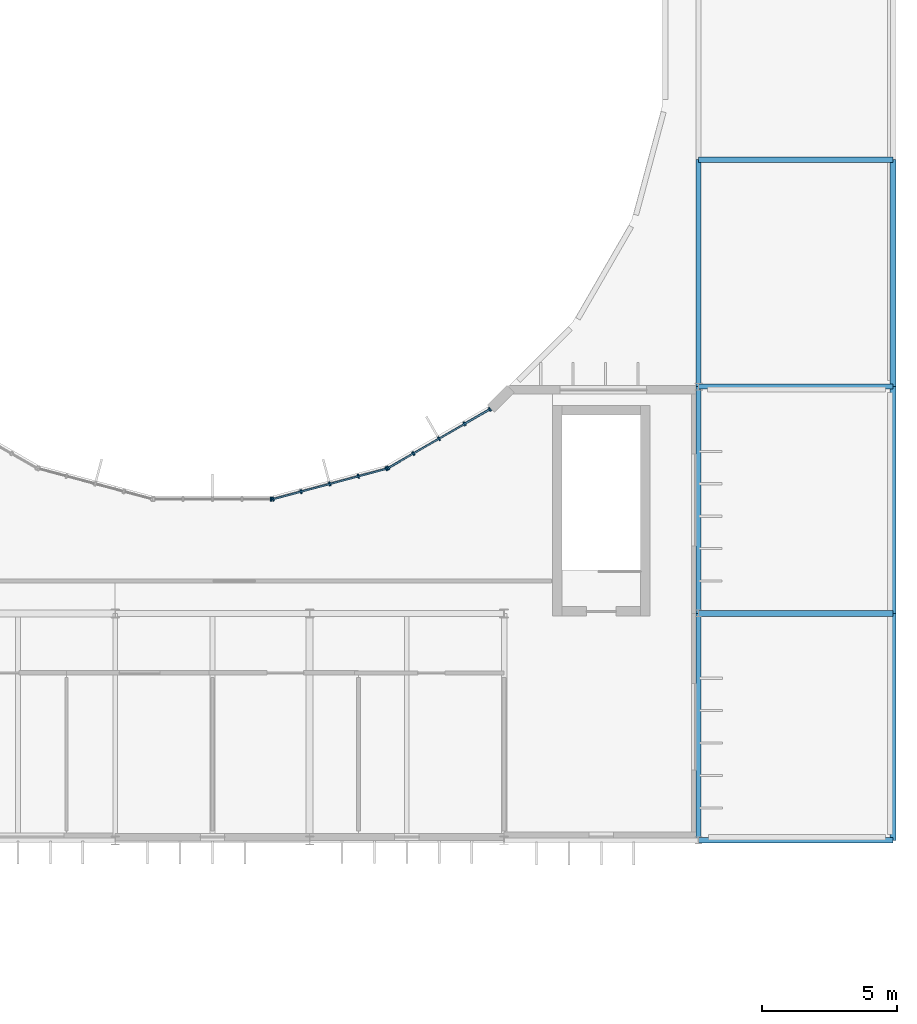
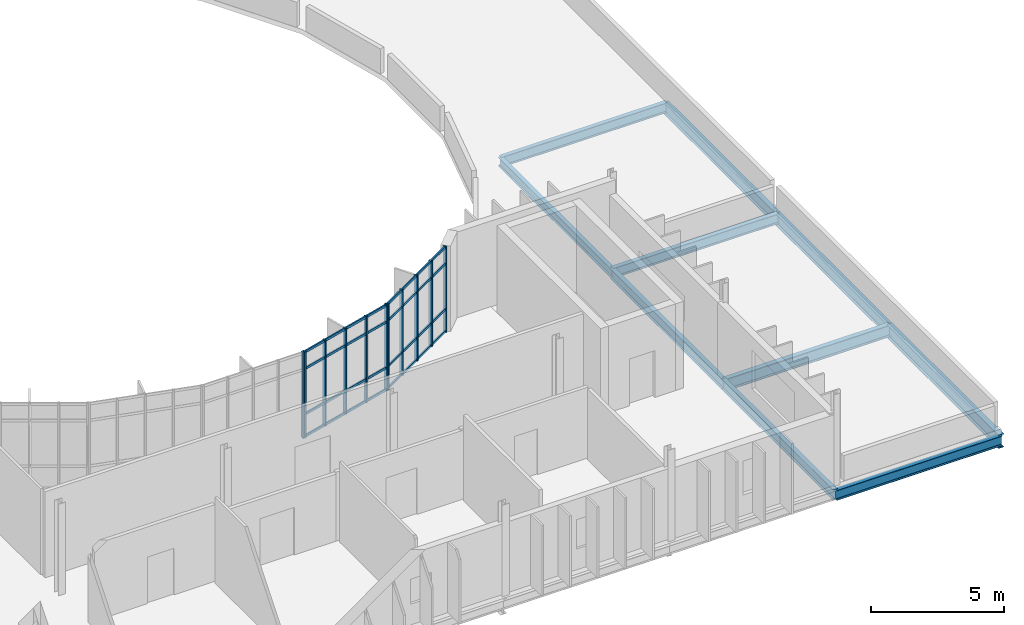
# One storey, part 29 of 61: 19 members, 10 beams, 3 elements without a shape of their own.
"""IFC4 building model written with IfcOpenShell, lengths in metres."""

from ifc_helpers import new_model, si_unit, direction, frame, origin, origin_2d, place, context, subcontext, project, spatial, rectangle, i_section, extrude, material, material_profile, profile_set, type_object, element, aggregate, save


model = new_model("IFC4")

# Units and contexts
model_context = context("Model", 3, precision=1e-05, world=origin(), true_north=direction((0.0, 1.0)))
body_context = subcontext(model_context, "Body", "Model", "MODEL_VIEW")
ifc_project = project(units=[si_unit("LENGTHUNIT", "METRE"), si_unit("AREAUNIT", "SQUARE_METRE"), si_unit("VOLUMEUNIT", "CUBIC_METRE"), si_unit("PLANEANGLEUNIT", "RADIAN"), si_unit("MASSUNIT", "GRAM", prefix="KILO")], contexts=[model_context])

# Site, building, storey
site_placement = place(None, origin())
site = spatial("IfcSite", under=ifc_project, at=site_placement, CompositionType="ELEMENT")
building_placement = place(site_placement, origin())
building = spatial("IfcBuilding", under=site, at=building_placement, Name="Qelthora Terrace Specialist Clinic", CompositionType="ELEMENT")
storey_placement = place(building_placement, frame((0.0, 0.0, 13.199951171875)))
storey = spatial("IfcBuildingStorey", under=building, at=storey_placement, Name="L03", CompositionType="ELEMENT", Elevation=13.199951171875)

# Beams
ifc_material_1 = material(Name="Steel S355", Category="steel")
ifc_material_profile_1 = material_profile(ifc_material_1, i_section(OverallWidth=0.179931640625, OverallDepth=0.4130859375, WebThickness=0.009765625, FlangeThickness=0.01611328125, FilletRadius=0.011962890625, at=origin_2d()), Name="W410X75")
ifc_profile_set_1 = profile_set([ifc_material_profile_1], Name="Steel S355")
beam_type_1 = type_object("IfcBeamType", Name="BM-W410X75", PredefinedType="BEAM", material=ifc_profile_set_1)
beam_1_placement = place(storey_placement, frame((144.0, 50.39990234375, -0.45654296875), z_axis=(0.0, 1.0, 0.0), x_axis=(-1.0, 0.0, 0.0)))
element("IfcBeam", 1, at=beam_1_placement, inside=storey, type_object=beam_type_1, Name="Girder BMY-L03-1119", PredefinedType="BEAM", context=body_context, shape_type="SweptSolid", body=[
    extrude(i_section(OverallWidth=0.179931640625, OverallDepth=0.4130859375, WebThickness=0.009765625, FlangeThickness=0.01611328125, FilletRadius=0.011962890625, at=origin_2d()), origin(), (0.0, 0.0, 1.0), 8.400146484375),
])
ifc_material_profile_2 = material_profile(ifc_material_1, i_section(OverallWidth=0.19091796875, OverallDepth=0.4599609375, WebThickness=0.010009765625, FlangeThickness=0.01611328125, FilletRadius=0.012939453125, at=origin_2d()), Name="W460X82")
ifc_profile_set_2 = profile_set([ifc_material_profile_2], Name="Steel S355")
beam_type_2 = type_object("IfcBeamType", Name="BM-W460X82", PredefinedType="BEAM", material=ifc_profile_set_2)
for number, where, z_axis, x_axis, name in (
    (2, (144.0, 33.60009765625, -0.47998046875), (1.0, 0.0, 0.0), (0.0, 1.0, 0.0), "Girder BMX-L03-0923"),
    (3, (144.0, 50.39990234375, -0.47998046875), (1.0, 0.0, 0.0), (0.0, 1.0, 0.0), "Girder BMX-L03-0932"),
    (4, (144.0, 58.800048828125, -0.47998046875), (1.0, 0.0, 0.0), (0.0, 1.0, 0.0), "Girder BMX-L03-0948"),
):
    element("IfcBeam", number, at=place(storey_placement, frame(where, z_axis=z_axis, x_axis=x_axis)), inside=storey, type_object=beam_type_2, Name=name, PredefinedType="BEAM", context=body_context, shape_type="SweptSolid", body=[
        extrude(i_section(OverallWidth=0.19091796875, OverallDepth=0.4599609375, WebThickness=0.010009765625, FlangeThickness=0.01611328125, FilletRadius=0.012939453125, at=origin_2d()), origin(), (0.0, 0.0, 1.0), 7.199951171875),
    ])
beam_2_placement = place(storey_placement, frame((144.0, 42.0, -0.47998046875), z_axis=(0.0, 1.0, 0.0), x_axis=(-1.0, 0.0, 0.0)))
element("IfcBeam", 5, at=beam_2_placement, inside=storey, type_object=beam_type_2, Name="Girder BMY-L03-1118", PredefinedType="BEAM", context=body_context, shape_type="SweptSolid", body=[
    extrude(i_section(OverallWidth=0.19091796875, OverallDepth=0.4599609375, WebThickness=0.010009765625, FlangeThickness=0.01611328125, FilletRadius=0.012939453125, at=origin_2d()), origin(), (0.0, 0.0, 1.0), 8.39990234375),
])
ifc_material_profile_3 = material_profile(ifc_material_1, i_section(OverallWidth=0.193115234375, OverallDepth=0.466064453125, WebThickness=0.011474609375, FlangeThickness=0.01904296875, FilletRadius=0.012939453125, at=origin_2d()), Name="W460X97")
ifc_profile_set_3 = profile_set([ifc_material_profile_3], Name="Steel S355")
beam_type_3 = type_object("IfcBeamType", Name="BM-W460X97", PredefinedType="BEAM", material=ifc_profile_set_3)
beam_3_placement = place(storey_placement, frame((144.0, 33.60009765625, -0.48291015625), z_axis=(0.0, 1.0, 0.0), x_axis=(-1.0, 0.0, 0.0)))
element("IfcBeam", 6, at=beam_3_placement, inside=storey, type_object=beam_type_3, Name="Girder BMY-L03-1117", PredefinedType="BEAM", context=body_context, shape_type="SweptSolid", body=[
    extrude(i_section(OverallWidth=0.193115234375, OverallDepth=0.466064453125, WebThickness=0.011474609375, FlangeThickness=0.01904296875, FilletRadius=0.012939453125, at=origin_2d()), origin(), (0.0, 0.0, 1.0), 8.39990234375),
])
ifc_material_profile_4 = material_profile(ifc_material_1, i_section(OverallWidth=0.2099609375, OverallDepth=0.537109375, WebThickness=0.010986328125, FlangeThickness=0.017333984375, FilletRadius=0.013916015625, at=origin_2d()), Name="W530X101")
ifc_profile_set_4 = profile_set([ifc_material_profile_4], Name="Steel S355")
beam_type_4 = type_object("IfcBeamType", Name="BM-W530X101", PredefinedType="BEAM", material=ifc_profile_set_4)
beam_4_placement = place(storey_placement, frame((151.199951171875, 50.39990234375, -0.5185546875), z_axis=(0.0, 1.0, 0.0), x_axis=(-1.0, 0.0, 0.0)))
element("IfcBeam", 7, at=beam_4_placement, inside=storey, type_object=beam_type_4, Name="Girder BMY-L03-1126", PredefinedType="BEAM", context=body_context, shape_type="SweptSolid", body=[
    extrude(i_section(OverallWidth=0.2099609375, OverallDepth=0.537109375, WebThickness=0.010986328125, FlangeThickness=0.017333984375, FilletRadius=0.013916015625, at=origin_2d()), origin(), (0.0, 0.0, 1.0), 8.400146484375),
])
ifc_material_profile_5 = material_profile(ifc_material_1, i_section(OverallWidth=0.2119140625, OverallDepth=0.5439453125, WebThickness=0.01318359375, FlangeThickness=0.021240234375, FilletRadius=0.013916015625, at=origin_2d()), Name="W530X123")
ifc_profile_set_5 = profile_set([ifc_material_profile_5], Name="Steel S355")
beam_type_5 = type_object("IfcBeamType", Name="BM-W530X123", PredefinedType="BEAM", material=ifc_profile_set_5)
beam_5_placement = place(storey_placement, frame((144.0, 42.0, -0.52197265625), z_axis=(1.0, 0.0, 0.0), x_axis=(0.0, 1.0, 0.0)))
element("IfcBeam", 8, at=beam_5_placement, inside=storey, type_object=beam_type_5, Name="Girder BMX-L03-0929", PredefinedType="BEAM", context=body_context, shape_type="SweptSolid", body=[
    extrude(i_section(OverallWidth=0.2119140625, OverallDepth=0.5439453125, WebThickness=0.01318359375, FlangeThickness=0.021240234375, FilletRadius=0.013916015625, at=origin_2d()), origin(), (0.0, 0.0, 1.0), 7.199951171875),
])
beam_6_placement = place(storey_placement, frame((151.199951171875, 42.0, -0.52197265625), z_axis=(0.0, 1.0, 0.0), x_axis=(-1.0, 0.0, 0.0)))
element("IfcBeam", 9, at=beam_6_placement, inside=storey, type_object=beam_type_5, Name="Girder BMY-L03-1125", PredefinedType="BEAM", context=body_context, shape_type="SweptSolid", body=[
    extrude(i_section(OverallWidth=0.2119140625, OverallDepth=0.5439453125, WebThickness=0.01318359375, FlangeThickness=0.021240234375, FilletRadius=0.013916015625, at=origin_2d()), origin(), (0.0, 0.0, 1.0), 8.39990234375),
])
ifc_material_profile_6 = material_profile(ifc_material_1, i_section(OverallWidth=0.22998046875, OverallDepth=0.616943359375, WebThickness=0.01318359375, FlangeThickness=0.022216796875, FilletRadius=0.01611328125, at=origin_2d()), Name="W610X140")
ifc_profile_set_6 = profile_set([ifc_material_profile_6], Name="Steel S355")
beam_type_6 = type_object("IfcBeamType", Name="BM-W610X140", PredefinedType="BEAM", material=ifc_profile_set_6)
beam_7_placement = place(storey_placement, frame((151.199951171875, 33.60009765625, -0.558349609375), z_axis=(0.0, 1.0, 0.0), x_axis=(-1.0, 0.0, 0.0)))
element("IfcBeam", 10, at=beam_7_placement, inside=storey, type_object=beam_type_6, Name="Girder BMY-L03-1124", PredefinedType="BEAM", context=body_context, shape_type="SweptSolid", body=[
    extrude(i_section(OverallWidth=0.22998046875, OverallDepth=0.616943359375, WebThickness=0.01318359375, FlangeThickness=0.022216796875, FilletRadius=0.01611328125, at=origin_2d()), origin(), (0.0, 0.0, 1.0), 8.39990234375),
])

# Curtain wall, member
ifc_material_2 = material(Name="Aluminium anodized bronze", Category="aluminium")
curtain_wall_type = type_object("IfcCurtainWallType", Name="CW-CRTE-UPP", PredefinedType="NOTDEFINED", material=ifc_material_2)
curtain_wall_1_placement = place(storey_placement, origin())
curtain_wall_1 = element("IfcCurtainWall", 11, at=curtain_wall_1_placement, inside=storey, type_object=curtain_wall_type, Name="Curtain wall CW-CE-L03-18", PredefinedType="NOTDEFINED")
ifc_material_profile_7 = material_profile(ifc_material_2, rectangle(XDim=0.06005859375, YDim=0.14990234375, at=origin_2d()), Name="CWM60X150")
ifc_profile_set_7 = profile_set([ifc_material_profile_7], Name="Aluminium anodized bronze")
member_type_1 = type_object("IfcMemberType", Name="CWM-60X150", PredefinedType="MULLION", material=ifc_profile_set_7)
member_1_placement = place(storey_placement, frame((128.1728515625, 46.2236328125, 0.0), z_axis=(0.0, 0.0, 1.0), x_axis=(1.0, 0.0, 0.0)))
member_1 = element("IfcMember", 12, at=member_1_placement, type_object=member_type_1, Name="CW-CE-L03-18 mullion 5", PredefinedType="MULLION", context=body_context, shape_type="SweptSolid", body=[
    extrude(rectangle(XDim=0.06005859375, YDim=0.14990234375, at=origin_2d()), origin(), (0.0, 0.0, 1.0), 3.945068359375),
])
aggregate(curtain_wall_1, [member_1])

# Curtain wall, members
curtain_wall_2_placement = place(storey_placement, origin())
curtain_wall_2 = element("IfcCurtainWall", 13, at=curtain_wall_2_placement, inside=storey, type_object=curtain_wall_type, Name="Curtain wall CW-CE-L03-19", PredefinedType="NOTDEFINED")
member_2_placement = place(storey_placement, frame((128.2431640625, 46.23291015625, 0.0), z_axis=(0.0, 0.0, 1.0), x_axis=(0.965925660235, 0.258819664824, 0.0)))
member_2 = element("IfcMember", 14, at=member_2_placement, type_object=member_type_1, Name="CW-CE-L03-19 mullion 1", PredefinedType="MULLION", context=body_context, shape_type="SweptSolid", body=[
    extrude(rectangle(XDim=0.06005859375, YDim=0.14990234375, at=origin_2d()), origin(), (0.0, 0.0, 1.0), 3.945068359375),
])
member_3_placement = place(storey_placement, frame((129.282958984375, 46.511474609375, 0.0), z_axis=(0.0, 0.0, 1.0), x_axis=(0.965925660235, 0.258819664824, 0.0)))
member_3 = element("IfcMember", 15, at=member_3_placement, type_object=member_type_1, Name="CW-CE-L03-19 mullion 2", PredefinedType="MULLION", context=body_context, shape_type="SweptSolid", body=[
    extrude(rectangle(XDim=0.06005859375, YDim=0.14990234375, at=origin_2d()), origin(), (0.0, 0.0, 1.0), 3.945068359375),
])
member_4_placement = place(storey_placement, frame((130.342041015625, 46.79541015625, 0.0), z_axis=(0.0, 0.0, 1.0), x_axis=(0.965925660235, 0.258819664824, 0.0)))
member_4 = element("IfcMember", 16, at=member_4_placement, type_object=member_type_1, Name="CW-CE-L03-19 mullion 3", PredefinedType="MULLION", context=body_context, shape_type="SweptSolid", body=[
    extrude(rectangle(XDim=0.06005859375, YDim=0.14990234375, at=origin_2d()), origin(), (0.0, 0.0, 1.0), 3.945068359375),
])
member_5_placement = place(storey_placement, frame((131.401123046875, 47.0791015625, 0.0), z_axis=(0.0, 0.0, 1.0), x_axis=(0.965925660235, 0.258819664824, 0.0)))
member_5 = element("IfcMember", 17, at=member_5_placement, type_object=member_type_1, Name="CW-CE-L03-19 mullion 4", PredefinedType="MULLION", context=body_context, shape_type="SweptSolid", body=[
    extrude(rectangle(XDim=0.06005859375, YDim=0.14990234375, at=origin_2d()), origin(), (0.0, 0.0, 1.0), 3.945068359375),
])
member_6_placement = place(storey_placement, frame((132.44091796875, 47.357666015625, 0.0), z_axis=(0.0, 0.0, 1.0), x_axis=(0.965925660235, 0.258819664824, 0.0)))
member_6 = element("IfcMember", 18, at=member_6_placement, type_object=member_type_1, Name="CW-CE-L03-19 mullion 5", PredefinedType="MULLION", context=body_context, shape_type="SweptSolid", body=[
    extrude(rectangle(XDim=0.06005859375, YDim=0.14990234375, at=origin_2d()), origin(), (0.0, 0.0, 1.0), 3.945068359375),
])

curtain_wall_3_placement = place(storey_placement, origin())
curtain_wall_3 = element("IfcCurtainWall", 19, at=curtain_wall_3_placement, inside=storey, type_object=curtain_wall_type, Name="Curtain wall CW-CE-L03-20", PredefinedType="NOTDEFINED")
member_7_placement = place(storey_placement, frame((132.50634765625, 47.385009765625, 0.0), z_axis=(0.0, 0.0, 1.0), x_axis=(0.86602538709, 0.500000028915, 0.0)))
member_7 = element("IfcMember", 20, at=member_7_placement, type_object=member_type_1, Name="CW-CE-L03-20 mullion 1", PredefinedType="MULLION", context=body_context, shape_type="SweptSolid", body=[
    extrude(rectangle(XDim=0.06005859375, YDim=0.14990234375, at=origin_2d()), origin(), (0.0, 0.0, 1.0), 3.945068359375),
])
member_8_placement = place(storey_placement, frame((133.438720703125, 47.923095703125, 0.0), z_axis=(0.0, 0.0, 1.0), x_axis=(0.86602538709, 0.500000028915, 0.0)))
member_8 = element("IfcMember", 21, at=member_8_placement, type_object=member_type_1, Name="CW-CE-L03-20 mullion 2", PredefinedType="MULLION", context=body_context, shape_type="SweptSolid", body=[
    extrude(rectangle(XDim=0.06005859375, YDim=0.14990234375, at=origin_2d()), origin(), (0.0, 0.0, 1.0), 3.945068359375),
])
member_9_placement = place(storey_placement, frame((134.38818359375, 48.471435546875, 0.0), z_axis=(0.0, 0.0, 1.0), x_axis=(0.86602538709, 0.500000028915, 0.0)))
member_9 = element("IfcMember", 22, at=member_9_placement, type_object=member_type_1, Name="CW-CE-L03-20 mullion 3", PredefinedType="MULLION", context=body_context, shape_type="SweptSolid", body=[
    extrude(rectangle(XDim=0.06005859375, YDim=0.14990234375, at=origin_2d()), origin(), (0.0, 0.0, 1.0), 3.945068359375),
])
member_10_placement = place(storey_placement, frame((135.337646484375, 49.01953125, 0.0), z_axis=(0.0, 0.0, 1.0), x_axis=(0.86602538709, 0.500000028915, 0.0)))
member_10 = element("IfcMember", 23, at=member_10_placement, type_object=member_type_1, Name="CW-CE-L03-20 mullion 4", PredefinedType="MULLION", context=body_context, shape_type="SweptSolid", body=[
    extrude(rectangle(XDim=0.06005859375, YDim=0.14990234375, at=origin_2d()), origin(), (0.0, 0.0, 1.0), 3.945068359375),
])
member_11_placement = place(storey_placement, frame((136.269775390625, 49.557861328125, 0.0), z_axis=(0.0, 0.0, 1.0), x_axis=(0.86602538709, 0.500000028915, 0.0)))
member_11 = element("IfcMember", 24, at=member_11_placement, type_object=member_type_1, Name="CW-CE-L03-20 mullion 5", PredefinedType="MULLION", context=body_context, shape_type="SweptSolid", body=[
    extrude(rectangle(XDim=0.06005859375, YDim=0.14990234375, at=origin_2d()), origin(), (0.0, 0.0, 1.0), 3.945068359375),
])

# Member
ifc_material_profile_8 = material_profile(ifc_material_2, rectangle(XDim=0.06005859375, YDim=0.110107421875, at=origin_2d()), Name="CWT60X110")
ifc_profile_set_8 = profile_set([ifc_material_profile_8], Name="Aluminium anodized bronze")
member_type_2 = type_object("IfcMemberType", Name="CWT-60X110", PredefinedType="USERDEFINED", material=ifc_profile_set_8)
member_12_placement = place(storey_placement, frame((128.262451171875, 46.23828125, 0.0400390625), z_axis=(0.965933119212, 0.25879182601, 0.0), x_axis=(-0.25879182601, 0.965933119212, 0.0)))
member_12 = element("IfcMember", 25, at=member_12_placement, type_object=member_type_2, Name="CW-CE-L03-19 transom 1", ObjectType="TRANSOM", PredefinedType="USERDEFINED", context=body_context, shape_type="SweptSolid", body=[
    extrude(rectangle(XDim=0.06005859375, YDim=0.110107421875, at=origin_2d()), origin(), (0.0, 0.0, 1.0), 4.3056640625),
])

member_13_placement = place(storey_placement, frame((128.262451171875, 46.23828125, 1.050048828125), z_axis=(0.965933119212, 0.25879182601, 0.0), x_axis=(-0.25879182601, 0.965933119212, 0.0)))
member_13 = element("IfcMember", 26, at=member_13_placement, type_object=member_type_2, Name="CW-CE-L03-19 transom 2", ObjectType="TRANSOM", PredefinedType="USERDEFINED", context=body_context, shape_type="SweptSolid", body=[
    extrude(rectangle(XDim=0.06005859375, YDim=0.110107421875, at=origin_2d()), origin(), (0.0, 0.0, 1.0), 4.3056640625),
])

member_14_placement = place(storey_placement, frame((128.262451171875, 46.23828125, 3.14501953125), z_axis=(0.965933119212, 0.25879182601, 0.0), x_axis=(-0.25879182601, 0.965933119212, 0.0)))
member_14 = element("IfcMember", 27, at=member_14_placement, type_object=member_type_2, Name="CW-CE-L03-19 transom 3", ObjectType="TRANSOM", PredefinedType="USERDEFINED", context=body_context, shape_type="SweptSolid", body=[
    extrude(rectangle(XDim=0.06005859375, YDim=0.110107421875, at=origin_2d()), origin(), (0.0, 0.0, 1.0), 4.3056640625),
])

member_15_placement = place(storey_placement, frame((128.262451171875, 46.23828125, 3.905029296875), z_axis=(0.965933119212, 0.25879182601, 0.0), x_axis=(-0.25879182601, 0.965933119212, 0.0)))
member_15 = element("IfcMember", 28, at=member_15_placement, type_object=member_type_2, Name="CW-CE-L03-19 transom 4", ObjectType="TRANSOM", PredefinedType="USERDEFINED", context=body_context, shape_type="SweptSolid", body=[
    extrude(rectangle(XDim=0.06005859375, YDim=0.110107421875, at=origin_2d()), origin(), (0.0, 0.0, 1.0), 4.3056640625),
])

aggregate(curtain_wall_2, [member_2, member_3, member_4, member_5, member_6, member_12, member_13, member_14, member_15])

member_16_placement = place(storey_placement, frame((132.523681640625, 47.39501953125, 0.0400390625), z_axis=(0.866022228109, 0.500005500391, 0.0), x_axis=(-0.500005500391, 0.866022228109, 0.0)))
member_16 = element("IfcMember", 29, at=member_16_placement, type_object=member_type_2, Name="CW-CE-L03-20 transom 1", ObjectType="TRANSOM", PredefinedType="USERDEFINED", context=body_context, shape_type="SweptSolid", body=[
    extrude(rectangle(XDim=0.06005859375, YDim=0.110107421875, at=origin_2d()), origin(), (0.0, 0.0, 1.0), 4.3056640625),
])

member_17_placement = place(storey_placement, frame((132.523681640625, 47.39501953125, 1.050048828125), z_axis=(0.866022228109, 0.500005500391, 0.0), x_axis=(-0.500005500391, 0.866022228109, 0.0)))
member_17 = element("IfcMember", 30, at=member_17_placement, type_object=member_type_2, Name="CW-CE-L03-20 transom 2", ObjectType="TRANSOM", PredefinedType="USERDEFINED", context=body_context, shape_type="SweptSolid", body=[
    extrude(rectangle(XDim=0.06005859375, YDim=0.110107421875, at=origin_2d()), origin(), (0.0, 0.0, 1.0), 4.3056640625),
])

member_18_placement = place(storey_placement, frame((132.523681640625, 47.39501953125, 3.14501953125), z_axis=(0.866022228109, 0.500005500391, 0.0), x_axis=(-0.500005500391, 0.866022228109, 0.0)))
member_18 = element("IfcMember", 31, at=member_18_placement, type_object=member_type_2, Name="CW-CE-L03-20 transom 3", ObjectType="TRANSOM", PredefinedType="USERDEFINED", context=body_context, shape_type="SweptSolid", body=[
    extrude(rectangle(XDim=0.06005859375, YDim=0.110107421875, at=origin_2d()), origin(), (0.0, 0.0, 1.0), 4.3056640625),
])

member_19_placement = place(storey_placement, frame((132.523681640625, 47.39501953125, 3.905029296875), z_axis=(0.866022228109, 0.500005500391, 0.0), x_axis=(-0.500005500391, 0.866022228109, 0.0)))
member_19 = element("IfcMember", 32, at=member_19_placement, type_object=member_type_2, Name="CW-CE-L03-20 transom 4", ObjectType="TRANSOM", PredefinedType="USERDEFINED", context=body_context, shape_type="SweptSolid", body=[
    extrude(rectangle(XDim=0.06005859375, YDim=0.110107421875, at=origin_2d()), origin(), (0.0, 0.0, 1.0), 4.3056640625),
])

aggregate(curtain_wall_3, [member_7, member_8, member_9, member_10, member_11, member_16, member_17, member_18, member_19])

save(model, "model.ifc")
